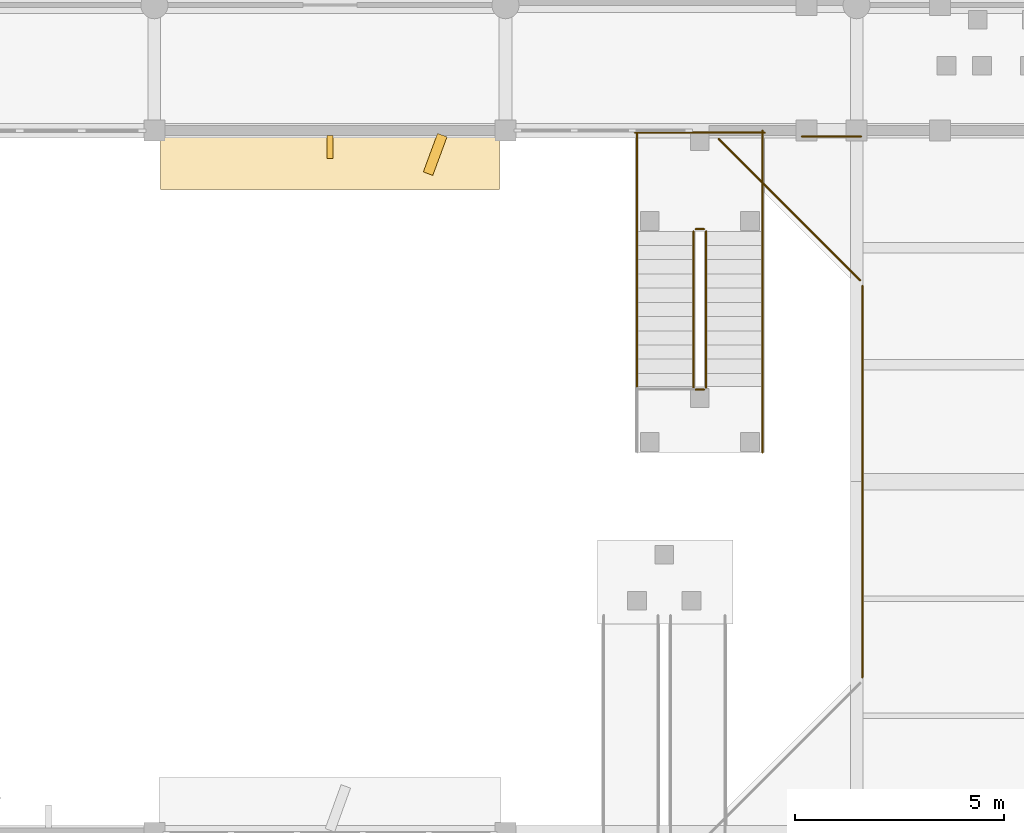
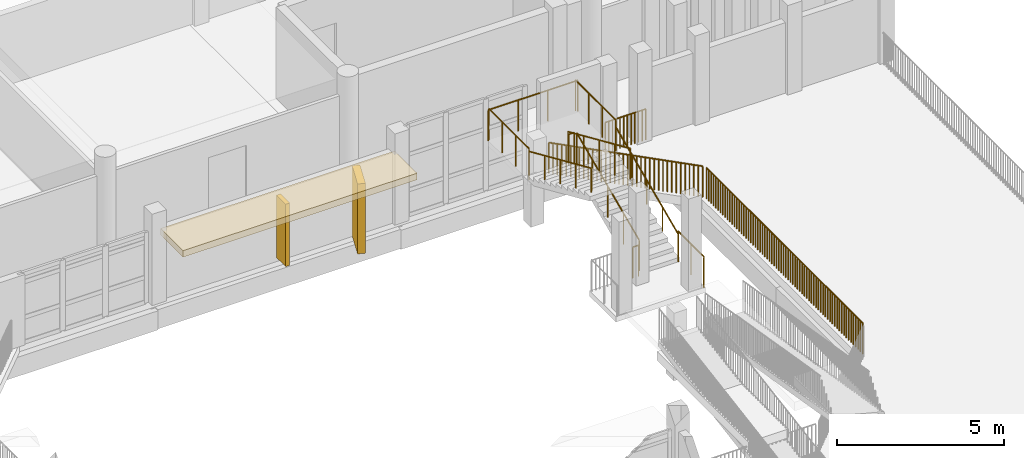
# One storey, part 74 of 92: 13 railings, 2 coverings, 1 shading device.
"""IFC4 building model written with IfcOpenShell, lengths in metres."""

from ifc_helpers import new_model, si_unit, direction, frame, origin, origin_2d, place, context, subcontext, project, spatial, rectangle, circle, extrude, material, layer, layer_set, type_object, element, save


model = new_model("IFC4")

# Units and contexts
model_context = context("Model", 3, precision=1e-05, world=origin(), true_north=direction((0.0, 1.0)))
body_context = subcontext(model_context, "Body", "Model", "MODEL_VIEW")
ifc_project = project(units=[si_unit("LENGTHUNIT", "METRE"), si_unit("AREAUNIT", "SQUARE_METRE"), si_unit("VOLUMEUNIT", "CUBIC_METRE"), si_unit("PLANEANGLEUNIT", "RADIAN"), si_unit("MASSUNIT", "GRAM", prefix="KILO")], contexts=[model_context])

# Site, building, storey
site_placement = place(None, origin())
site = spatial("IfcSite", under=ifc_project, at=site_placement, CompositionType="ELEMENT")
building_placement = place(site_placement, origin())
building = spatial("IfcBuilding", under=site, at=building_placement, Name="Vanh Quang Courtyard School", CompositionType="ELEMENT")
storey_placement = place(building_placement, frame((0.0, 0.0, 7.800048828125)))
storey = spatial("IfcBuildingStorey", under=building, at=storey_placement, Name="L02", CompositionType="ELEMENT", Elevation=7.800048828125)

# Coverings
ifc_material_1 = material(Name="Board-marked precast concrete C40/50", Category="concrete")
ifc_layer = layer(ifc_material_1, 0.239990234375)
ifc_layer_set = layer_set([ifc_layer], Name="Board-marked precast concrete C40/50")
covering_type = type_object("IfcCoveringType", Name="COV-HOOD-CONC", PredefinedType="CLADDING", material=ifc_layer_set)
covering_1_placement = place(storey_placement, frame((98.39990234375, 28.659912109375, 2.33984375), z_axis=(0.0, 0.0, 1.0), x_axis=(-1.0, 0.0, 0.0)))
element("IfcCovering", 1, at=covering_1_placement, inside=storey, type_object=covering_type, Name="Covering CH-01 (L02)", PredefinedType="CLADDING", context=body_context, shape_type="SweptSolid", body=[
    extrude(rectangle(XDim=8.10400390625, YDim=1.35009765625, at=origin_2d()), origin(), (0.0, 0.0, 1.0), 0.239990234375),
])
covering_2_placement = place(storey_placement, frame((100.91748046875, 28.830078125, 0.0), z_axis=(0.0, 0.0, 1.0), x_axis=(-0.346608245445, -0.938009980858, 0.0)))
element("IfcCovering", 2, at=covering_2_placement, inside=storey, type_object=covering_type, Name="Covering CH-01 (L02)", PredefinedType="CLADDING", context=body_context, shape_type="SweptSolid", body=[
    extrude(rectangle(XDim=0.980712890625, YDim=0.239990234375, at=origin_2d()), origin(), (0.0, 0.0, 1.0), 2.56005859375),
])

# Railings
ifc_material_2 = material(Name="Galvanised painted steel EN 10025-2 S355J2", Category="steel")
railing_type_1 = type_object("IfcRailingType", Name="RAIL-GUARD-1150", PredefinedType="BALUSTRADE", material=ifc_material_2)
railing_1_placement = place(storey_placement, frame((111.139892578125, 16.316650390625, 0.0)))
element("IfcRailing", 3, at=railing_1_placement, inside=storey, type_object=railing_type_1, Name="Railing GR-01 (L02)", PredefinedType="BALUSTRADE", context=body_context, shape_type="SweptSolid", body=[
    extrude(circle(Radius=0.02392578125, at=origin_2d()), frame((0.0, 0.0, 1.1259765625), z_axis=(0.0, 1.0, 0.0), x_axis=(-1.0, 0.0, 0.0)), (0.0, 0.0, 1.0), 9.36669921875),
    extrude(circle(Radius=0.02099609375, at=origin_2d()), origin(), (0.0, 0.0, 1.0), 1.101806640625),
    extrude(circle(Radius=0.02099609375, at=origin_2d()), frame((0.0, 0.139892578125, 0.0)), (0.0, 0.0, 1.0), 1.101806640625),
    extrude(circle(Radius=0.02099609375, at=origin_2d()), frame((0.0, 0.279541015625, 0.0)), (0.0, 0.0, 1.0), 1.101806640625),
    extrude(circle(Radius=0.02099609375, at=origin_2d()), frame((0.0, 0.41943359375, 0.0)), (0.0, 0.0, 1.0), 1.101806640625),
    extrude(circle(Radius=0.02099609375, at=origin_2d()), frame((0.0, 0.559326171875, 0.0)), (0.0, 0.0, 1.0), 1.101806640625),
    extrude(circle(Radius=0.02099609375, at=origin_2d()), frame((0.0, 0.698974609375, 0.0)), (0.0, 0.0, 1.0), 1.101806640625),
    extrude(circle(Radius=0.02099609375, at=origin_2d()), frame((0.0, 0.8388671875, 0.0)), (0.0, 0.0, 1.0), 1.101806640625),
    extrude(circle(Radius=0.02099609375, at=origin_2d()), frame((0.0, 0.978515625, 0.0)), (0.0, 0.0, 1.0), 1.101806640625),
    extrude(circle(Radius=0.02099609375, at=origin_2d()), frame((0.0, 1.118408203125, 0.0)), (0.0, 0.0, 1.0), 1.101806640625),
    extrude(circle(Radius=0.02099609375, at=origin_2d()), frame((0.0, 1.25830078125, 0.0)), (0.0, 0.0, 1.0), 1.101806640625),
    extrude(circle(Radius=0.02099609375, at=origin_2d()), frame((0.0, 1.39794921875, 0.0)), (0.0, 0.0, 1.0), 1.101806640625),
    extrude(circle(Radius=0.02099609375, at=origin_2d()), frame((0.0, 1.537841796875, 0.0)), (0.0, 0.0, 1.0), 1.101806640625),
    extrude(circle(Radius=0.02099609375, at=origin_2d()), frame((0.0, 1.677734375, 0.0)), (0.0, 0.0, 1.0), 1.101806640625),
    extrude(circle(Radius=0.02099609375, at=origin_2d()), frame((0.0, 1.8173828125, 0.0)), (0.0, 0.0, 1.0), 1.101806640625),
    extrude(circle(Radius=0.02099609375, at=origin_2d()), frame((0.0, 1.957275390625, 0.0)), (0.0, 0.0, 1.0), 1.101806640625),
    extrude(circle(Radius=0.02099609375, at=origin_2d()), frame((0.0, 2.096923828125, 0.0)), (0.0, 0.0, 1.0), 1.101806640625),
    extrude(circle(Radius=0.02099609375, at=origin_2d()), frame((0.0, 2.23681640625, 0.0)), (0.0, 0.0, 1.0), 1.101806640625),
    extrude(circle(Radius=0.02099609375, at=origin_2d()), frame((0.0, 2.376708984375, 0.0)), (0.0, 0.0, 1.0), 1.101806640625),
    extrude(circle(Radius=0.02099609375, at=origin_2d()), frame((0.0, 2.516357421875, 0.0)), (0.0, 0.0, 1.0), 1.101806640625),
    extrude(circle(Radius=0.02099609375, at=origin_2d()), frame((0.0, 2.65625, 0.0)), (0.0, 0.0, 1.0), 1.101806640625),
    extrude(circle(Radius=0.02099609375, at=origin_2d()), frame((0.0, 2.796142578125, 0.0)), (0.0, 0.0, 1.0), 1.101806640625),
    extrude(circle(Radius=0.02099609375, at=origin_2d()), frame((0.0, 2.935791015625, 0.0)), (0.0, 0.0, 1.0), 1.101806640625),
    extrude(circle(Radius=0.02099609375, at=origin_2d()), frame((0.0, 3.07568359375, 0.0)), (0.0, 0.0, 1.0), 1.101806640625),
    extrude(circle(Radius=0.02099609375, at=origin_2d()), frame((0.0, 3.21533203125, 0.0)), (0.0, 0.0, 1.0), 1.101806640625),
    extrude(circle(Radius=0.02099609375, at=origin_2d()), frame((0.0, 3.355224609375, 0.0)), (0.0, 0.0, 1.0), 1.101806640625),
    extrude(circle(Radius=0.02099609375, at=origin_2d()), frame((0.0, 3.4951171875, 0.0)), (0.0, 0.0, 1.0), 1.101806640625),
    extrude(circle(Radius=0.02099609375, at=origin_2d()), frame((0.0, 3.634765625, 0.0)), (0.0, 0.0, 1.0), 1.101806640625),
    extrude(circle(Radius=0.02099609375, at=origin_2d()), frame((0.0, 3.774658203125, 0.0)), (0.0, 0.0, 1.0), 1.101806640625),
    extrude(circle(Radius=0.02099609375, at=origin_2d()), frame((0.0, 3.91455078125, 0.0)), (0.0, 0.0, 1.0), 1.101806640625),
    extrude(circle(Radius=0.02099609375, at=origin_2d()), frame((0.0, 4.05419921875, 0.0)), (0.0, 0.0, 1.0), 1.101806640625),
    extrude(circle(Radius=0.02099609375, at=origin_2d()), frame((0.0, 4.194091796875, 0.0)), (0.0, 0.0, 1.0), 1.101806640625),
    extrude(circle(Radius=0.02099609375, at=origin_2d()), frame((0.0, 4.333740234375, 0.0)), (0.0, 0.0, 1.0), 1.101806640625),
    extrude(circle(Radius=0.02099609375, at=origin_2d()), frame((0.0, 4.4736328125, 0.0)), (0.0, 0.0, 1.0), 1.101806640625),
    extrude(circle(Radius=0.02099609375, at=origin_2d()), frame((0.0, 4.613525390625, 0.0)), (0.0, 0.0, 1.0), 1.101806640625),
    extrude(circle(Radius=0.02099609375, at=origin_2d()), frame((0.0, 4.753173828125, 0.0)), (0.0, 0.0, 1.0), 1.101806640625),
    extrude(circle(Radius=0.02099609375, at=origin_2d()), frame((0.0, 4.89306640625, 0.0)), (0.0, 0.0, 1.0), 1.101806640625),
    extrude(circle(Radius=0.02099609375, at=origin_2d()), frame((0.0, 5.032958984375, 0.0)), (0.0, 0.0, 1.0), 1.101806640625),
    extrude(circle(Radius=0.02099609375, at=origin_2d()), frame((0.0, 5.172607421875, 0.0)), (0.0, 0.0, 1.0), 1.101806640625),
    extrude(circle(Radius=0.02099609375, at=origin_2d()), frame((0.0, 5.3125, 0.0)), (0.0, 0.0, 1.0), 1.101806640625),
    extrude(circle(Radius=0.02099609375, at=origin_2d()), frame((0.0, 5.4521484375, 0.0)), (0.0, 0.0, 1.0), 1.101806640625),
    extrude(circle(Radius=0.02099609375, at=origin_2d()), frame((0.0, 5.592041015625, 0.0)), (0.0, 0.0, 1.0), 1.101806640625),
    extrude(circle(Radius=0.02099609375, at=origin_2d()), frame((0.0, 5.73193359375, 0.0)), (0.0, 0.0, 1.0), 1.101806640625),
    extrude(circle(Radius=0.02099609375, at=origin_2d()), frame((0.0, 5.87158203125, 0.0)), (0.0, 0.0, 1.0), 1.101806640625),
    extrude(circle(Radius=0.02099609375, at=origin_2d()), frame((0.0, 6.011474609375, 0.0)), (0.0, 0.0, 1.0), 1.101806640625),
    extrude(circle(Radius=0.02099609375, at=origin_2d()), frame((0.0, 6.1513671875, 0.0)), (0.0, 0.0, 1.0), 1.101806640625),
    extrude(circle(Radius=0.02099609375, at=origin_2d()), frame((0.0, 6.291015625, 0.0)), (0.0, 0.0, 1.0), 1.101806640625),
    extrude(circle(Radius=0.02099609375, at=origin_2d()), frame((0.0, 6.430908203125, 0.0)), (0.0, 0.0, 1.0), 1.101806640625),
    extrude(circle(Radius=0.02099609375, at=origin_2d()), frame((0.0, 6.570556640625, 0.0)), (0.0, 0.0, 1.0), 1.101806640625),
    extrude(circle(Radius=0.02099609375, at=origin_2d()), frame((0.0, 6.71044921875, 0.0)), (0.0, 0.0, 1.0), 1.101806640625),
    extrude(circle(Radius=0.02099609375, at=origin_2d()), frame((0.0, 6.850341796875, 0.0)), (0.0, 0.0, 1.0), 1.101806640625),
    extrude(circle(Radius=0.02099609375, at=origin_2d()), frame((0.0, 6.989990234375, 0.0)), (0.0, 0.0, 1.0), 1.101806640625),
    extrude(circle(Radius=0.02099609375, at=origin_2d()), frame((0.0, 7.1298828125, 0.0)), (0.0, 0.0, 1.0), 1.101806640625),
    extrude(circle(Radius=0.02099609375, at=origin_2d()), frame((0.0, 7.269775390625, 0.0)), (0.0, 0.0, 1.0), 1.101806640625),
    extrude(circle(Radius=0.02099609375, at=origin_2d()), frame((0.0, 7.409423828125, 0.0)), (0.0, 0.0, 1.0), 1.101806640625),
    extrude(circle(Radius=0.02099609375, at=origin_2d()), frame((0.0, 7.54931640625, 0.0)), (0.0, 0.0, 1.0), 1.101806640625),
    extrude(circle(Radius=0.02099609375, at=origin_2d()), frame((0.0, 7.68896484375, 0.0)), (0.0, 0.0, 1.0), 1.101806640625),
    extrude(circle(Radius=0.02099609375, at=origin_2d()), frame((0.0, 7.828857421875, 0.0)), (0.0, 0.0, 1.0), 1.101806640625),
    extrude(circle(Radius=0.02099609375, at=origin_2d()), frame((0.0, 7.96875, 0.0)), (0.0, 0.0, 1.0), 1.101806640625),
    extrude(circle(Radius=0.02099609375, at=origin_2d()), frame((0.0, 8.1083984375, 0.0)), (0.0, 0.0, 1.0), 1.101806640625),
    extrude(circle(Radius=0.02099609375, at=origin_2d()), frame((0.0, 8.248291015625, 0.0)), (0.0, 0.0, 1.0), 1.101806640625),
    extrude(circle(Radius=0.02099609375, at=origin_2d()), frame((0.0, 8.38818359375, 0.0)), (0.0, 0.0, 1.0), 1.101806640625),
    extrude(circle(Radius=0.02099609375, at=origin_2d()), frame((0.0, 8.52783203125, 0.0)), (0.0, 0.0, 1.0), 1.101806640625),
    extrude(circle(Radius=0.02099609375, at=origin_2d()), frame((0.0, 8.667724609375, 0.0)), (0.0, 0.0, 1.0), 1.101806640625),
    extrude(circle(Radius=0.02099609375, at=origin_2d()), frame((0.0, 8.807373046875, 0.0)), (0.0, 0.0, 1.0), 1.101806640625),
    extrude(circle(Radius=0.02099609375, at=origin_2d()), frame((0.0, 8.947265625, 0.0)), (0.0, 0.0, 1.0), 1.101806640625),
    extrude(circle(Radius=0.02099609375, at=origin_2d()), frame((0.0, 9.087158203125, 0.0)), (0.0, 0.0, 1.0), 1.101806640625),
    extrude(circle(Radius=0.02099609375, at=origin_2d()), frame((0.0, 9.226806640625, 0.0)), (0.0, 0.0, 1.0), 1.101806640625),
    extrude(circle(Radius=0.02099609375, at=origin_2d()), frame((0.0, 9.36669921875, 0.0)), (0.0, 0.0, 1.0), 1.101806640625),
])
railing_2_placement = place(storey_placement, frame((111.08447265625, 25.817626953125, 0.0)))
element("IfcRailing", 4, at=railing_2_placement, inside=storey, type_object=railing_type_1, Name="Railing GR-01 (L02)", PredefinedType="BALUSTRADE", context=body_context, shape_type="SweptSolid", body=[
    extrude(circle(Radius=0.02392578125, at=origin_2d()), frame((0.0, 0.0, 1.1259765625), z_axis=(-0.707132299755, 0.707081261697, 0.0), x_axis=(-0.707081261697, -0.707132299755, 0.0)), (0.0, 0.0, 1.0), 4.783447265625),
    extrude(circle(Radius=0.02099609375, at=origin_2d()), origin(), (0.0, 0.0, 1.0), 1.101806640625),
    extrude(circle(Radius=0.02099609375, at=origin_2d()), frame((-0.0966796875, 0.0966796875, 0.0)), (0.0, 0.0, 1.0), 1.101806640625),
    extrude(circle(Radius=0.02099609375, at=origin_2d()), frame((-0.193359375, 0.193359375, 0.0)), (0.0, 0.0, 1.0), 1.101806640625),
    extrude(circle(Radius=0.02099609375, at=origin_2d()), frame((-0.2900390625, 0.289794921875, 0.0)), (0.0, 0.0, 1.0), 1.101806640625),
    extrude(circle(Radius=0.02099609375, at=origin_2d()), frame((-0.386474609375, 0.386474609375, 0.0)), (0.0, 0.0, 1.0), 1.101806640625),
    extrude(circle(Radius=0.02099609375, at=origin_2d()), frame((-0.483154296875, 0.483154296875, 0.0)), (0.0, 0.0, 1.0), 1.101806640625),
    extrude(circle(Radius=0.02099609375, at=origin_2d()), frame((-0.579833984375, 0.579833984375, 0.0)), (0.0, 0.0, 1.0), 1.101806640625),
    extrude(circle(Radius=0.02099609375, at=origin_2d()), frame((-0.676513671875, 0.676513671875, 0.0)), (0.0, 0.0, 1.0), 1.101806640625),
    extrude(circle(Radius=0.02099609375, at=origin_2d()), frame((-0.773193359375, 0.773193359375, 0.0)), (0.0, 0.0, 1.0), 1.101806640625),
    extrude(circle(Radius=0.02099609375, at=origin_2d()), frame((-0.869873046875, 0.86962890625, 0.0)), (0.0, 0.0, 1.0), 1.101806640625),
    extrude(circle(Radius=0.02099609375, at=origin_2d()), frame((-0.966552734375, 0.96630859375, 0.0)), (0.0, 0.0, 1.0), 1.101806640625),
    extrude(circle(Radius=0.02099609375, at=origin_2d()), frame((-1.06298828125, 1.06298828125, 0.0)), (0.0, 0.0, 1.0), 1.101806640625),
    extrude(circle(Radius=0.02099609375, at=origin_2d()), frame((-1.15966796875, 1.15966796875, 0.0)), (0.0, 0.0, 1.0), 1.101806640625),
    extrude(circle(Radius=0.02099609375, at=origin_2d()), frame((-1.25634765625, 1.25634765625, 0.0)), (0.0, 0.0, 1.0), 1.101806640625),
    extrude(circle(Radius=0.02099609375, at=origin_2d()), frame((-1.35302734375, 1.35302734375, 0.0)), (0.0, 0.0, 1.0), 1.101806640625),
    extrude(circle(Radius=0.02099609375, at=origin_2d()), frame((-1.44970703125, 1.449462890625, 0.0)), (0.0, 0.0, 1.0), 1.101806640625),
    extrude(circle(Radius=0.02099609375, at=origin_2d()), frame((-1.54638671875, 1.546142578125, 0.0)), (0.0, 0.0, 1.0), 1.101806640625),
    extrude(circle(Radius=0.02099609375, at=origin_2d()), frame((-1.64306640625, 1.642822265625, 0.0)), (0.0, 0.0, 1.0), 1.101806640625),
    extrude(circle(Radius=0.02099609375, at=origin_2d()), frame((-1.739501953125, 1.739501953125, 0.0)), (0.0, 0.0, 1.0), 1.101806640625),
    extrude(circle(Radius=0.02099609375, at=origin_2d()), frame((-1.836181640625, 1.836181640625, 0.0)), (0.0, 0.0, 1.0), 1.101806640625),
    extrude(circle(Radius=0.02099609375, at=origin_2d()), frame((-1.932861328125, 1.932861328125, 0.0)), (0.0, 0.0, 1.0), 1.101806640625),
    extrude(circle(Radius=0.02099609375, at=origin_2d()), frame((-2.029541015625, 2.029296875, 0.0)), (0.0, 0.0, 1.0), 1.101806640625),
    extrude(circle(Radius=0.02099609375, at=origin_2d()), frame((-2.126220703125, 2.1259765625, 0.0)), (0.0, 0.0, 1.0), 1.101806640625),
    extrude(circle(Radius=0.02099609375, at=origin_2d()), frame((-2.222900390625, 2.22265625, 0.0)), (0.0, 0.0, 1.0), 1.101806640625),
    extrude(circle(Radius=0.02099609375, at=origin_2d()), frame((-2.319580078125, 2.3193359375, 0.0)), (0.0, 0.0, 1.0), 1.101806640625),
    extrude(circle(Radius=0.02099609375, at=origin_2d()), frame((-2.416015625, 2.416015625, 0.0)), (0.0, 0.0, 1.0), 1.101806640625),
    extrude(circle(Radius=0.02099609375, at=origin_2d()), frame((-2.5126953125, 2.5126953125, 0.0)), (0.0, 0.0, 1.0), 1.101806640625),
    extrude(circle(Radius=0.02099609375, at=origin_2d()), frame((-2.609375, 2.609130859375, 0.0)), (0.0, 0.0, 1.0), 1.101806640625),
    extrude(circle(Radius=0.02099609375, at=origin_2d()), frame((-2.7060546875, 2.705810546875, 0.0)), (0.0, 0.0, 1.0), 1.101806640625),
    extrude(circle(Radius=0.02099609375, at=origin_2d()), frame((-2.802734375, 2.802490234375, 0.0)), (0.0, 0.0, 1.0), 1.101806640625),
    extrude(circle(Radius=0.02099609375, at=origin_2d()), frame((-2.8994140625, 2.899169921875, 0.0)), (0.0, 0.0, 1.0), 1.101806640625),
    extrude(circle(Radius=0.02099609375, at=origin_2d()), frame((-2.99609375, 2.995849609375, 0.0)), (0.0, 0.0, 1.0), 1.101806640625),
    extrude(circle(Radius=0.02099609375, at=origin_2d()), frame((-3.092529296875, 3.092529296875, 0.0)), (0.0, 0.0, 1.0), 1.101806640625),
    extrude(circle(Radius=0.02099609375, at=origin_2d()), frame((-3.189208984375, 3.18896484375, 0.0)), (0.0, 0.0, 1.0), 1.101806640625),
    extrude(circle(Radius=0.02099609375, at=origin_2d()), frame((-3.285888671875, 3.28564453125, 0.0)), (0.0, 0.0, 1.0), 1.101806640625),
    extrude(circle(Radius=0.02099609375, at=origin_2d()), frame((-3.382568359375, 3.38232421875, 0.0)), (0.0, 0.0, 1.0), 1.101806640625),
])
railing_3_placement = place(storey_placement, frame((109.694091796875, 29.25927734375, 0.0)))
element("IfcRailing", 5, at=railing_3_placement, inside=storey, type_object=railing_type_1, Name="Railing GR-01 (L02)", PredefinedType="BALUSTRADE", context=body_context, shape_type="SweptSolid", body=[
    extrude(circle(Radius=0.02392578125, at=origin_2d()), frame((0.0, 0.0, 1.1259765625), z_axis=(0.999999985044, 0.000172950534, 0.0), x_axis=(-0.000172950534, 0.999999985044, 0.0)), (0.0, 0.0, 1.0), 1.41162109375),
    extrude(circle(Radius=0.02099609375, at=origin_2d()), origin(), (0.0, 0.0, 1.0), 1.101806640625),
    extrude(circle(Radius=0.02099609375, at=origin_2d()), frame((0.12841796875, 0.0, 0.0)), (0.0, 0.0, 1.0), 1.101806640625),
    extrude(circle(Radius=0.02099609375, at=origin_2d()), frame((0.256591796875, 0.0, 0.0)), (0.0, 0.0, 1.0), 1.101806640625),
    extrude(circle(Radius=0.02099609375, at=origin_2d()), frame((0.385009765625, 0.0, 0.0)), (0.0, 0.0, 1.0), 1.101806640625),
    extrude(circle(Radius=0.02099609375, at=origin_2d()), frame((0.513427734375, 0.0, 0.0)), (0.0, 0.0, 1.0), 1.101806640625),
    extrude(circle(Radius=0.02099609375, at=origin_2d()), frame((0.6416015625, 0.0, 0.0)), (0.0, 0.0, 1.0), 1.101806640625),
    extrude(circle(Radius=0.02099609375, at=origin_2d()), frame((0.77001953125, 0.000244140625, 0.0)), (0.0, 0.0, 1.0), 1.101806640625),
    extrude(circle(Radius=0.02099609375, at=origin_2d()), frame((0.898193359375, 0.000244140625, 0.0)), (0.0, 0.0, 1.0), 1.101806640625),
    extrude(circle(Radius=0.02099609375, at=origin_2d()), frame((1.026611328125, 0.000244140625, 0.0)), (0.0, 0.0, 1.0), 1.101806640625),
    extrude(circle(Radius=0.02099609375, at=origin_2d()), frame((1.155029296875, 0.000244140625, 0.0)), (0.0, 0.0, 1.0), 1.101806640625),
    extrude(circle(Radius=0.02099609375, at=origin_2d()), frame((1.283203125, 0.000244140625, 0.0)), (0.0, 0.0, 1.0), 1.101806640625),
    extrude(circle(Radius=0.02099609375, at=origin_2d()), frame((1.41162109375, 0.000244140625, 0.0)), (0.0, 0.0, 1.0), 1.101806640625),
])
railing_4_placement = place(storey_placement, frame((107.39990234375, 23.25, 0.14990234375)))
element("IfcRailing", 6, at=railing_4_placement, inside=storey, type_object=railing_type_1, Name="L02 ST-T3 stair guard 1", PredefinedType="BALUSTRADE", context=body_context, shape_type="SweptSolid", body=[
    extrude(circle(Radius=0.02392578125, at=origin_2d()), frame((0.0, 0.0, 1.1259765625), z_axis=(0.0, 0.914904178387, 0.403671084387), x_axis=(-1.0, 0.0, 0.0)), (0.0, 0.0, 1.0), 4.087890625),
    extrude(circle(Radius=0.02099609375, at=origin_2d()), origin(), (0.0, 0.0, 1.0), 1.101806640625),
    extrude(circle(Radius=0.02099609375, at=origin_2d()), frame((0.0, 0.93505859375, 0.41259765625)), (0.0, 0.0, 1.0), 1.101806640625),
    extrude(circle(Radius=0.02099609375, at=origin_2d()), frame((0.0, 1.8701171875, 0.8251953125)), (0.0, 0.0, 1.0), 1.101806640625),
    extrude(circle(Radius=0.02099609375, at=origin_2d()), frame((0.0, 2.804931640625, 1.237548828125)), (0.0, 0.0, 1.0), 1.101806640625),
    extrude(circle(Radius=0.02099609375, at=origin_2d()), frame((0.0, 3.739990234375, 1.650146484375)), (0.0, 0.0, 1.0), 1.101806640625),
])
railing_5_placement = place(storey_placement, frame((107.35009765625, 27.0400390625, 1.800048828125)))
element("IfcRailing", 7, at=railing_5_placement, inside=storey, type_object=railing_type_1, Name="L02 ST-T3 stair guard 2", PredefinedType="BALUSTRADE", context=body_context, shape_type="SweptSolid", body=[
    extrude(circle(Radius=0.02392578125, at=origin_2d()), frame((0.0, 0.0, 1.1259765625), z_axis=(-1.0, 0.0, 0.0), x_axis=(0.0, -1.0, 0.0)), (0.0, 0.0, 1.0), 0.2001953125),
    extrude(circle(Radius=0.02099609375, at=origin_2d()), origin(), (0.0, 0.0, 1.0), 1.101806640625),
    extrude(circle(Radius=0.02099609375, at=origin_2d()), frame((-0.2001953125, 0.0, 0.0)), (0.0, 0.0, 1.0), 1.101806640625),
])
for number, where, name in (
    (8, (108.75, 26.989990234375, 1.800048828125), "L02 ST-T3 stair guard 3"),
    (9, (105.75, 26.989990234375, 1.800048828125), "L02 ST-T3 stair guard 4"),
):
    element("IfcRailing", number, at=place(storey_placement, frame(where)), inside=storey, type_object=railing_type_1, Name=name, PredefinedType="BALUSTRADE", context=body_context, shape_type="SweptSolid", body=[
        extrude(circle(Radius=0.02392578125, at=origin_2d()), frame((0.0, 0.0, 1.1259765625), z_axis=(0.0, 1.0, 0.0), x_axis=(-1.0, 0.0, 0.0)), (0.0, 0.0, 1.0), 2.409912109375),
        extrude(circle(Radius=0.02099609375, at=origin_2d()), origin(), (0.0, 0.0, 1.0), 1.101806640625),
        extrude(circle(Radius=0.02099609375, at=origin_2d()), frame((0.0, 0.80322265625, 0.0)), (0.0, 0.0, 1.0), 1.101806640625),
        extrude(circle(Radius=0.02099609375, at=origin_2d()), frame((0.0, 1.606689453125, 0.0)), (0.0, 0.0, 1.0), 1.101806640625),
        extrude(circle(Radius=0.02099609375, at=origin_2d()), frame((0.0, 2.409912109375, 0.0)), (0.0, 0.0, 1.0), 1.101806640625),
    ])
railing_6_placement = place(storey_placement, frame((108.800048828125, 29.35009765625, 1.800048828125)))
element("IfcRailing", 10, at=railing_6_placement, inside=storey, type_object=railing_type_1, Name="L02 ST-T3 stair guard 5", PredefinedType="BALUSTRADE", context=body_context, shape_type="SweptSolid", body=[
    extrude(circle(Radius=0.02392578125, at=origin_2d()), frame((0.0, 0.0, 1.1259765625), z_axis=(-1.0, 0.0, 0.0), x_axis=(0.0, -1.0, 0.0)), (0.0, 0.0, 1.0), 3.10009765625),
    extrude(circle(Radius=0.02099609375, at=origin_2d()), origin(), (0.0, 0.0, 1.0), 1.101806640625),
    extrude(circle(Radius=0.02099609375, at=origin_2d()), frame((-1.033447265625, 0.0, 0.0)), (0.0, 0.0, 1.0), 1.101806640625),
    extrude(circle(Radius=0.02099609375, at=origin_2d()), frame((-2.066650390625, 0.0, 0.0)), (0.0, 0.0, 1.0), 1.101806640625),
    extrude(circle(Radius=0.02099609375, at=origin_2d()), frame((-3.10009765625, 0.0, 0.0)), (0.0, 0.0, 1.0), 1.101806640625),
])
railing_7_placement = place(storey_placement, frame((107.10009765625, 26.989990234375, 1.949951171875)))
element("IfcRailing", 11, at=railing_7_placement, inside=storey, type_object=railing_type_1, Name="L02 ST-T3 stair guard 6", PredefinedType="BALUSTRADE", context=body_context, shape_type="SweptSolid", body=[
    extrude(circle(Radius=0.02392578125, at=origin_2d()), frame((0.0, 0.0, 1.1259765625), z_axis=(0.0, -0.914926234655, 0.40362109105), x_axis=(1.0, 0.0, 0.0)), (0.0, 0.0, 1.0), 4.087646484375),
    extrude(circle(Radius=0.02099609375, at=origin_2d()), origin(), (0.0, 0.0, 1.0), 1.101806640625),
    extrude(circle(Radius=0.02099609375, at=origin_2d()), frame((0.0, -0.93505859375, 0.41259765625)), (0.0, 0.0, 1.0), 1.101806640625),
    extrude(circle(Radius=0.02099609375, at=origin_2d()), frame((0.0, -1.8701171875, 0.824951171875)), (0.0, 0.0, 1.0), 1.101806640625),
    extrude(circle(Radius=0.02099609375, at=origin_2d()), frame((0.0, -2.804931640625, 1.2373046875)), (0.0, 0.0, 1.0), 1.101806640625),
    extrude(circle(Radius=0.02099609375, at=origin_2d()), frame((0.0, -3.739990234375, 1.64990234375)), (0.0, 0.0, 1.0), 1.101806640625),
])
railing_8_placement = place(storey_placement, frame((107.35009765625, 23.199951171875, 0.0)))
element("IfcRailing", 12, at=railing_8_placement, inside=storey, type_object=railing_type_1, Name="L02 ST-T3 stair guard 7", PredefinedType="BALUSTRADE", context=body_context, shape_type="SweptSolid", body=[
    extrude(circle(Radius=0.02392578125, at=origin_2d()), frame((0.0, 0.0, 1.1259765625), z_axis=(-1.0, 0.0, 0.0), x_axis=(0.0, -1.0, 0.0)), (0.0, 0.0, 1.0), 0.2001953125),
    extrude(circle(Radius=0.02099609375, at=origin_2d()), origin(), (0.0, 0.0, 1.0), 1.101806640625),
    extrude(circle(Radius=0.02099609375, at=origin_2d()), frame((-0.2001953125, 0.0, 0.0)), (0.0, 0.0, 1.0), 1.101806640625),
])
railing_9_placement = place(storey_placement, frame((108.75, 21.699951171875, 0.0)))
element("IfcRailing", 13, at=railing_9_placement, inside=storey, type_object=railing_type_1, Name="L02 ST-T3 stair guard 8", PredefinedType="BALUSTRADE", context=body_context, shape_type="SweptSolid", body=[
    extrude(circle(Radius=0.02392578125, at=origin_2d()), frame((0.0, 0.0, 1.1259765625), z_axis=(0.0, 1.0, 0.0), x_axis=(-1.0, 0.0, 0.0)), (0.0, 0.0, 1.0), 1.550048828125),
    extrude(circle(Radius=0.02099609375, at=origin_2d()), origin(), (0.0, 0.0, 1.0), 1.101806640625),
    extrude(circle(Radius=0.02099609375, at=origin_2d()), frame((0.0, 0.77490234375, 0.0)), (0.0, 0.0, 1.0), 1.101806640625),
    extrude(circle(Radius=0.02099609375, at=origin_2d()), frame((0.0, 1.550048828125, 0.0)), (0.0, 0.0, 1.0), 1.101806640625),
])
ifc_material_3 = material(Name="Brushed stainless steel", Category="steel")
railing_type_2 = type_object("IfcRailingType", Name="RAIL-HAND-900", PredefinedType="HANDRAIL", material=ifc_material_3)
railing_10_placement = place(storey_placement, frame((108.75, 23.25, 0.14990234375)))
element("IfcRailing", 14, at=railing_10_placement, inside=storey, type_object=railing_type_2, Name="L02 ST-T3 stair handrail 1", PredefinedType="HANDRAIL", context=body_context, shape_type="SweptSolid", body=[
    extrude(circle(Radius=0.02392578125, at=origin_2d()), frame((0.0, 0.0, 0.8759765625), z_axis=(0.0, 0.914904178387, 0.403671084387), x_axis=(-1.0, 0.0, 0.0)), (0.0, 0.0, 1.0), 4.087890625),
    extrude(circle(Radius=0.02099609375, at=origin_2d()), origin(), (0.0, 0.0, 1.0), 0.851806640625),
    extrude(circle(Radius=0.02099609375, at=origin_2d()), frame((0.0, 0.93505859375, 0.41259765625)), (0.0, 0.0, 1.0), 0.851806640625),
    extrude(circle(Radius=0.02099609375, at=origin_2d()), frame((0.0, 1.8701171875, 0.8251953125)), (0.0, 0.0, 1.0), 0.851806640625),
    extrude(circle(Radius=0.02099609375, at=origin_2d()), frame((0.0, 2.804931640625, 1.237548828125)), (0.0, 0.0, 1.0), 0.851806640625),
    extrude(circle(Radius=0.02099609375, at=origin_2d()), frame((0.0, 3.739990234375, 1.650146484375)), (0.0, 0.0, 1.0), 0.851806640625),
])
railing_11_placement = place(storey_placement, frame((105.75, 26.989990234375, 1.949951171875)))
element("IfcRailing", 15, at=railing_11_placement, inside=storey, type_object=railing_type_2, Name="L02 ST-T3 stair handrail 2", PredefinedType="HANDRAIL", context=body_context, shape_type="SweptSolid", body=[
    extrude(circle(Radius=0.02392578125, at=origin_2d()), frame((0.0, 0.0, 0.8759765625), z_axis=(0.0, -0.914926234655, 0.40362109105), x_axis=(1.0, 0.0, 0.0)), (0.0, 0.0, 1.0), 4.087646484375),
    extrude(circle(Radius=0.02099609375, at=origin_2d()), origin(), (0.0, 0.0, 1.0), 0.851806640625),
    extrude(circle(Radius=0.02099609375, at=origin_2d()), frame((0.0, -0.93505859375, 0.41259765625)), (0.0, 0.0, 1.0), 0.851806640625),
    extrude(circle(Radius=0.02099609375, at=origin_2d()), frame((0.0, -1.8701171875, 0.824951171875)), (0.0, 0.0, 1.0), 0.851806640625),
    extrude(circle(Radius=0.02099609375, at=origin_2d()), frame((0.0, -2.804931640625, 1.2373046875)), (0.0, 0.0, 1.0), 0.851806640625),
    extrude(circle(Radius=0.02099609375, at=origin_2d()), frame((0.0, -3.739990234375, 1.64990234375)), (0.0, 0.0, 1.0), 0.851806640625),
])

# Shading device
shading_device_type = type_object("IfcShadingDeviceType", Name="SHD-FIN-CONCRETE", PredefinedType="USERDEFINED", material=ifc_material_1)
shading_device_placement = place(storey_placement, frame((98.39990234375, 29.0048828125, 0.14990234375), z_axis=(0.0, 0.0, 1.0), x_axis=(-1.0, 0.0, 0.0)))
element("IfcShadingDevice", 16, at=shading_device_placement, inside=storey, type_object=shading_device_type, Name="Solar Shading SH-02 (L02)", ObjectType="Solar Shading SH-02 (L02)", PredefinedType="USERDEFINED", context=body_context, shape_type="SweptSolid", body=[
    extrude(rectangle(XDim=0.139892578125, YDim=0.550048828125, at=origin_2d()), origin(), (0.0, 0.0, 1.0), 2.280029296875),
])

save(model, "model.ifc")
